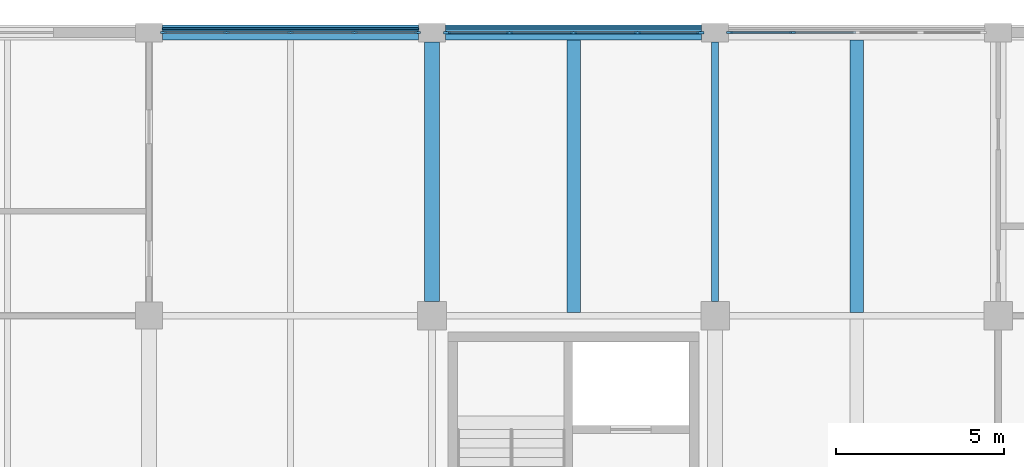
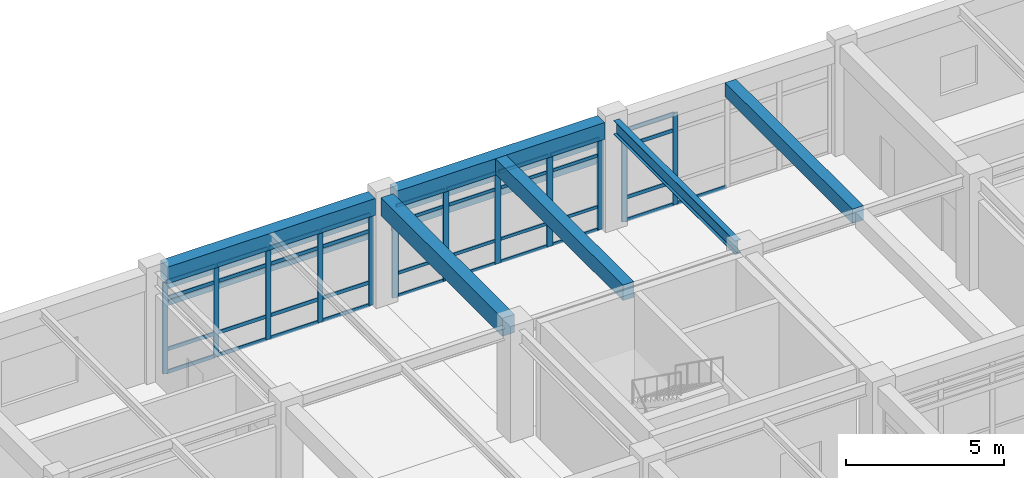
# One storey, part 18 of 78: 53 members, 6 beams, 3 elements without a shape of their own.
"""IFC4 building model written with IfcOpenShell, lengths in metres."""

from ifc_helpers import new_model, si_unit, direction, frame, origin, origin_2d, place, context, subcontext, project, spatial, rectangle, i_section, extrude, material, layer, layer_set, material_profile, profile_set, type_object, element, aggregate, save


model = new_model("IFC4")

# Units and contexts
model_context = context("Model", 3, precision=1e-05, world=origin(), true_north=direction((0.0, 1.0)))
body_context = subcontext(model_context, "Body", "Model", "MODEL_VIEW")
ifc_project = project(units=[si_unit("LENGTHUNIT", "METRE"), si_unit("AREAUNIT", "SQUARE_METRE"), si_unit("VOLUMEUNIT", "CUBIC_METRE"), si_unit("PLANEANGLEUNIT", "RADIAN"), si_unit("MASSUNIT", "GRAM", prefix="KILO")], contexts=[model_context])

# Site, building, storey
site_placement = place(None, origin())
site = spatial("IfcSite", under=ifc_project, at=site_placement, CompositionType="ELEMENT")
building_placement = place(site_placement, origin())
building = spatial("IfcBuilding", under=site, at=building_placement, Name="Porcellanite Civic Hall", CompositionType="ELEMENT")
storey_placement = place(building_placement, frame((0.0, 0.0, 10.260009765625)))
storey = spatial("IfcBuildingStorey", under=building, at=storey_placement, Name="L02", CompositionType="ELEMENT", Elevation=10.260009765625)

# Beams
ifc_material_1 = material(Name="Concrete N50 (50 MPa)", Category="concrete")
ifc_material_profile_1 = material_profile(ifc_material_1, rectangle(XDim=0.39990234375, YDim=0.550048828125, at=origin_2d()), Name="RC-400x550")
ifc_profile_set_1 = profile_set([ifc_material_profile_1], Name="Concrete N50 (50 MPa)")
beam_type_1 = type_object("IfcBeamType", Name="BM-RC550", PredefinedType="JOIST", material=ifc_profile_set_1)
beam_1_placement = place(storey_placement, frame((63.0, 109.29443359375, 3.965087890625), z_axis=(0.0, 1.0, 0.0), x_axis=(-1.0, 0.0, 0.0)))
element("IfcBeam", 1, at=beam_1_placement, inside=storey, type_object=beam_type_1, Name="Secondary joist L02 8-14", PredefinedType="JOIST", context=body_context, shape_type="SweptSolid", body=[
    extrude(rectangle(XDim=0.39990234375, YDim=0.550048828125, at=origin_2d()), origin(), (0.0, 0.0, 1.0), 8.0810546875),
])
ifc_material_2 = material(Name="Concrete N50 (50 MPa)", Category="concrete")
ifc_material_profile_2 = material_profile(ifc_material_2, rectangle(XDim=0.39990234375, YDim=0.60009765625, at=origin_2d()), Name="RC-400x600")
ifc_profile_set_2 = profile_set([ifc_material_profile_2], Name="Concrete N50 (50 MPa)")
beam_type_2 = type_object("IfcBeamType", Name="BM-RC600", PredefinedType="JOIST", material=ifc_profile_set_2)
beam_2_placement = place(storey_placement, frame((54.60009765625, 109.29443359375, 3.93994140625), z_axis=(0.0, 1.0, 0.0), x_axis=(-1.0, 0.0, 0.0)))
element("IfcBeam", 2, at=beam_2_placement, inside=storey, type_object=beam_type_2, Name="Secondary joist L02 7-14", PredefinedType="JOIST", context=body_context, shape_type="SweptSolid", body=[
    extrude(rectangle(XDim=0.39990234375, YDim=0.60009765625, at=origin_2d()), origin(), (0.0, 0.0, 1.0), 8.0810546875),
])
ifc_material_3 = material(Name="Concrete N50 (50 MPa)", Category="concrete")
ifc_material_profile_3 = material_profile(ifc_material_3, rectangle(XDim=0.449951171875, YDim=0.64990234375, at=origin_2d()), Name="RC-450x650")
ifc_profile_set_3 = profile_set([ifc_material_profile_3], Name="Concrete N50 (50 MPa)")
beam_type_3 = type_object("IfcBeamType", Name="BM-RC650", PredefinedType="SPANDREL", material=ifc_profile_set_3)
beam_3_placement = place(storey_placement, frame((42.3994140625, 117.60009765625, 3.9150390625), z_axis=(1.0, 0.0, 0.0), x_axis=(0.0, 1.0, 0.0)))
element("IfcBeam", 3, at=beam_3_placement, inside=storey, type_object=beam_type_3, Name="Beam X L02 6-15", PredefinedType="SPANDREL", context=body_context, shape_type="SweptSolid", body=[
    extrude(rectangle(XDim=0.449951171875, YDim=0.64990234375, at=origin_2d()), origin(), (0.0, 0.0, 1.0), 7.60107421875),
])
beam_4_placement = place(storey_placement, frame((50.799560546875, 117.60009765625, 3.9150390625), z_axis=(1.0, 0.0, 0.0), x_axis=(0.0, 1.0, 0.0)))
element("IfcBeam", 4, at=beam_4_placement, inside=storey, type_object=beam_type_3, Name="Beam X L02 7-15", PredefinedType="SPANDREL", context=body_context, shape_type="SweptSolid", body=[
    extrude(rectangle(XDim=0.449951171875, YDim=0.64990234375, at=origin_2d()), origin(), (0.0, 0.0, 1.0), 7.600830078125),
])
ifc_material_4 = material(Name="Concrete N50 (50 MPa)", Category="concrete")
ifc_material_profile_4 = material_profile(ifc_material_4, rectangle(XDim=0.449951171875, YDim=0.699951171875, at=origin_2d()), Name="RC-450x700")
ifc_profile_set_4 = profile_set([ifc_material_profile_4], Name="Concrete N50 (50 MPa)")
beam_type_4 = type_object("IfcBeamType", Name="BM-RC700", PredefinedType="BEAM", material=ifc_profile_set_4)
beam_5_placement = place(storey_placement, frame((50.39990234375, 109.62451171875, 3.889892578125), z_axis=(0.0, 1.0, 0.0), x_axis=(-1.0, 0.0, 0.0)))
element("IfcBeam", 5, at=beam_5_placement, inside=storey, type_object=beam_type_4, Name="Beam Y L02 7-14", PredefinedType="BEAM", context=body_context, shape_type="SweptSolid", body=[
    extrude(rectangle(XDim=0.449951171875, YDim=0.699951171875, at=origin_2d()), origin(), (0.0, 0.0, 1.0), 7.700927734375),
])

# Curtain wall, members
ifc_material_5 = material(Name="Anodised aluminium and solar laminated glass", Category="aluminium")
ifc_layer_1 = layer(ifc_material_5, 0.179931640625)
ifc_layer_set_1 = layer_set([ifc_layer_1], Name="Anodised aluminium and solar laminated glass")
curtain_wall_type_1 = type_object("IfcCurtainWallType", Name="CW-SYS03", PredefinedType="NOTDEFINED", material=ifc_layer_set_1)
curtain_wall_1_placement = place(storey_placement, origin())
curtain_wall_1 = element("IfcCurtainWall", 6, at=curtain_wall_1_placement, inside=storey, type_object=curtain_wall_type_1, Name="Curtain wall CW-150", PredefinedType="NOTDEFINED")
ifc_material_6 = material(Name="Anodised aluminium 6063-T6", Category="aluminium")
ifc_material_profile_5 = material_profile(ifc_material_6, rectangle(XDim=0.080078125, YDim=0.2099609375, at=origin_2d()), Name="AL-80x210")
ifc_profile_set_5 = profile_set([ifc_material_profile_5], Name="Anodised aluminium 6063-T6")
member_type_1 = type_object("IfcMemberType", Name="CWM-02", PredefinedType="MULLION", material=ifc_profile_set_5)
member_1_placement = place(storey_placement, frame((50.841064453125, 117.60009765625, 0.0), z_axis=(0.0, 0.0, 1.0), x_axis=(0.0, 1.0, 0.0)))
member_1 = element("IfcMember", 7, at=member_1_placement, type_object=member_type_1, Name="CW-150 mullion 1", PredefinedType="MULLION", context=body_context, shape_type="SweptSolid", body=[
    extrude(rectangle(XDim=0.080078125, YDim=0.2099609375, at=origin_2d()), origin(), (0.0, 0.0, 1.0), 3.5400390625),
])
member_2_placement = place(storey_placement, frame((52.700439453125, 117.60009765625, 0.0), z_axis=(0.0, 0.0, 1.0), x_axis=(0.0, 1.0, 0.0)))
member_2 = element("IfcMember", 8, at=member_2_placement, type_object=member_type_1, Name="CW-150 mullion 2", PredefinedType="MULLION", context=body_context, shape_type="SweptSolid", body=[
    extrude(rectangle(XDim=0.080078125, YDim=0.2099609375, at=origin_2d()), origin(), (0.0, 0.0, 1.0), 3.5400390625),
])
member_3_placement = place(storey_placement, frame((54.60009765625, 117.60009765625, 0.0), z_axis=(0.0, 0.0, 1.0), x_axis=(0.0, 1.0, 0.0)))
member_3 = element("IfcMember", 9, at=member_3_placement, type_object=member_type_1, Name="CW-150 mullion 3", PredefinedType="MULLION", context=body_context, shape_type="SweptSolid", body=[
    extrude(rectangle(XDim=0.080078125, YDim=0.2099609375, at=origin_2d()), origin(), (0.0, 0.0, 1.0), 3.5400390625),
])
member_4_placement = place(storey_placement, frame((56.49951171875, 117.60009765625, 0.0), z_axis=(0.0, 0.0, 1.0), x_axis=(0.0, 1.0, 0.0)))
member_4 = element("IfcMember", 10, at=member_4_placement, type_object=member_type_1, Name="CW-150 mullion 4", PredefinedType="MULLION", context=body_context, shape_type="SweptSolid", body=[
    extrude(rectangle(XDim=0.080078125, YDim=0.2099609375, at=origin_2d()), origin(), (0.0, 0.0, 1.0), 3.5400390625),
])
member_5_placement = place(storey_placement, frame((58.35888671875, 117.60009765625, 0.0), z_axis=(0.0, 0.0, 1.0), x_axis=(0.0, 1.0, 0.0)))
member_5 = element("IfcMember", 11, at=member_5_placement, type_object=member_type_1, Name="CW-150 mullion 5", PredefinedType="MULLION", context=body_context, shape_type="SweptSolid", body=[
    extrude(rectangle(XDim=0.080078125, YDim=0.2099609375, at=origin_2d()), origin(), (0.0, 0.0, 1.0), 3.5400390625),
])

ifc_material_7 = material(Name="Anodised aluminium and solar laminated glass", Category="aluminium")
ifc_layer_2 = layer(ifc_material_7, 0.179931640625)
ifc_layer_set_2 = layer_set([ifc_layer_2], Name="Anodised aluminium and solar laminated glass")
curtain_wall_type_2 = type_object("IfcCurtainWallType", Name="CW-SYS06", PredefinedType="NOTDEFINED", material=ifc_layer_set_2)
curtain_wall_2_placement = place(storey_placement, origin())
curtain_wall_2 = element("IfcCurtainWall", 12, at=curtain_wall_2_placement, inside=storey, type_object=curtain_wall_type_2, Name="Curtain wall CW-140", PredefinedType="NOTDEFINED")
ifc_material_8 = material(Name="Anodised aluminium 6063-T6", Category="aluminium")
ifc_material_profile_6 = material_profile(ifc_material_8, rectangle(XDim=0.06494140625, YDim=0.179931640625, at=origin_2d()), Name="AL-65x180")
ifc_profile_set_6 = profile_set([ifc_material_profile_6], Name="Anodised aluminium 6063-T6")
member_type_2 = type_object("IfcMemberType", Name="CWM-06", PredefinedType="MULLION", material=ifc_profile_set_6)
member_6_placement = place(storey_placement, frame((42.43359375, 117.60009765625, 0.0), z_axis=(0.0, 0.0, 1.0), x_axis=(0.0, 1.0, 0.0)))
member_6 = element("IfcMember", 13, at=member_6_placement, type_object=member_type_2, Name="CW-140 mullion 1", PredefinedType="MULLION", context=body_context, shape_type="SweptSolid", body=[
    extrude(rectangle(XDim=0.06494140625, YDim=0.179931640625, at=origin_2d()), origin(), (0.0, 0.0, 1.0), 3.5400390625),
])
member_7_placement = place(storey_placement, frame((44.300537109375, 117.60009765625, 0.0), z_axis=(0.0, 0.0, 1.0), x_axis=(0.0, 1.0, 0.0)))
member_7 = element("IfcMember", 14, at=member_7_placement, type_object=member_type_2, Name="CW-140 mullion 2", PredefinedType="MULLION", context=body_context, shape_type="SweptSolid", body=[
    extrude(rectangle(XDim=0.06494140625, YDim=0.179931640625, at=origin_2d()), origin(), (0.0, 0.0, 1.0), 3.5400390625),
])
member_8_placement = place(storey_placement, frame((46.199951171875, 117.60009765625, 0.0), z_axis=(0.0, 0.0, 1.0), x_axis=(0.0, 1.0, 0.0)))
member_8 = element("IfcMember", 15, at=member_8_placement, type_object=member_type_2, Name="CW-140 mullion 3", PredefinedType="MULLION", context=body_context, shape_type="SweptSolid", body=[
    extrude(rectangle(XDim=0.06494140625, YDim=0.179931640625, at=origin_2d()), origin(), (0.0, 0.0, 1.0), 3.5400390625),
])
member_9_placement = place(storey_placement, frame((48.099609375, 117.60009765625, 0.0), z_axis=(0.0, 0.0, 1.0), x_axis=(0.0, 1.0, 0.0)))
member_9 = element("IfcMember", 16, at=member_9_placement, type_object=member_type_2, Name="CW-140 mullion 4", PredefinedType="MULLION", context=body_context, shape_type="SweptSolid", body=[
    extrude(rectangle(XDim=0.06494140625, YDim=0.179931640625, at=origin_2d()), origin(), (0.0, 0.0, 1.0), 3.5400390625),
])
member_10_placement = place(storey_placement, frame((49.966552734375, 117.60009765625, 0.0), z_axis=(0.0, 0.0, 1.0), x_axis=(0.0, 1.0, 0.0)))
member_10 = element("IfcMember", 17, at=member_10_placement, type_object=member_type_2, Name="CW-140 mullion 5", PredefinedType="MULLION", context=body_context, shape_type="SweptSolid", body=[
    extrude(rectangle(XDim=0.06494140625, YDim=0.179931640625, at=origin_2d()), origin(), (0.0, 0.0, 1.0), 3.5400390625),
])

curtain_wall_3_placement = place(storey_placement, origin())
curtain_wall_3 = element("IfcCurtainWall", 18, at=curtain_wall_3_placement, inside=storey, type_object=curtain_wall_type_2, Name="Curtain wall CW-152", PredefinedType="NOTDEFINED")
member_11_placement = place(storey_placement, frame((59.2333984375, 117.60009765625, 0.0), z_axis=(0.0, 0.0, 1.0), x_axis=(0.0, 1.0, 0.0)))
member_11 = element("IfcMember", 19, at=member_11_placement, type_object=member_type_2, Name="CW-152 mullion 1", PredefinedType="MULLION", context=body_context, shape_type="SweptSolid", body=[
    extrude(rectangle(XDim=0.06494140625, YDim=0.179931640625, at=origin_2d()), origin(), (0.0, 0.0, 1.0), 3.5400390625),
])
member_12_placement = place(storey_placement, frame((61.1005859375, 117.60009765625, 0.0), z_axis=(0.0, 0.0, 1.0), x_axis=(0.0, 1.0, 0.0)))
member_12 = element("IfcMember", 20, at=member_12_placement, type_object=member_type_2, Name="CW-152 mullion 2", PredefinedType="MULLION", context=body_context, shape_type="SweptSolid", body=[
    extrude(rectangle(XDim=0.06494140625, YDim=0.179931640625, at=origin_2d()), origin(), (0.0, 0.0, 1.0), 3.5400390625),
])

# Member
ifc_material_9 = material(Name="Anodised aluminium 6063-T6", Category="aluminium")
ifc_material_profile_7 = material_profile(ifc_material_9, rectangle(XDim=0.054931640625, YDim=0.1201171875, at=origin_2d()), Name="AL-55x120")
ifc_profile_set_7 = profile_set([ifc_material_profile_7], Name="Anodised aluminium 6063-T6")
member_type_3 = type_object("IfcMemberType", Name="CWT-04", PredefinedType="USERDEFINED", material=ifc_profile_set_7)
member_13_placement = place(storey_placement, frame((50.881103515625, 117.60009765625, 0.027587890625), z_axis=(1.0, 0.0, 0.0), x_axis=(0.0, 1.0, 0.0)))
member_13 = element("IfcMember", 21, at=member_13_placement, type_object=member_type_3, Name="CW-150 transom 1.1", ObjectType="TRANSOM", PredefinedType="USERDEFINED", context=body_context, shape_type="SweptSolid", body=[
    extrude(rectangle(XDim=0.054931640625, YDim=0.1201171875, at=origin_2d()), origin(), (0.0, 0.0, 1.0), 1.779296875),
])

member_14_placement = place(storey_placement, frame((50.881103515625, 117.60009765625, 0.89990234375), z_axis=(1.0, 0.0, 0.0), x_axis=(0.0, 1.0, 0.0)))
member_14 = element("IfcMember", 22, at=member_14_placement, type_object=member_type_3, Name="CW-150 transom 1.2", ObjectType="TRANSOM", PredefinedType="USERDEFINED", context=body_context, shape_type="SweptSolid", body=[
    extrude(rectangle(XDim=0.054931640625, YDim=0.1201171875, at=origin_2d()), origin(), (0.0, 0.0, 1.0), 1.779296875),
])

member_15_placement = place(storey_placement, frame((50.881103515625, 117.60009765625, 2.889892578125), z_axis=(1.0, 0.0, 0.0), x_axis=(0.0, 1.0, 0.0)))
member_15 = element("IfcMember", 23, at=member_15_placement, type_object=member_type_3, Name="CW-150 transom 1.3", ObjectType="TRANSOM", PredefinedType="USERDEFINED", context=body_context, shape_type="SweptSolid", body=[
    extrude(rectangle(XDim=0.054931640625, YDim=0.1201171875, at=origin_2d()), origin(), (0.0, 0.0, 1.0), 1.779296875),
])

member_16_placement = place(storey_placement, frame((50.881103515625, 117.60009765625, 3.512451171875), z_axis=(1.0, 0.0, 0.0), x_axis=(0.0, 1.0, 0.0)))
member_16 = element("IfcMember", 24, at=member_16_placement, type_object=member_type_3, Name="CW-150 transom 1.4", ObjectType="TRANSOM", PredefinedType="USERDEFINED", context=body_context, shape_type="SweptSolid", body=[
    extrude(rectangle(XDim=0.054931640625, YDim=0.1201171875, at=origin_2d()), origin(), (0.0, 0.0, 1.0), 1.779296875),
])

member_17_placement = place(storey_placement, frame((52.740478515625, 117.60009765625, 0.027587890625), z_axis=(1.0, 0.0, 0.0), x_axis=(0.0, 1.0, 0.0)))
member_17 = element("IfcMember", 25, at=member_17_placement, type_object=member_type_3, Name="CW-150 transom 2.1", ObjectType="TRANSOM", PredefinedType="USERDEFINED", context=body_context, shape_type="SweptSolid", body=[
    extrude(rectangle(XDim=0.054931640625, YDim=0.1201171875, at=origin_2d()), origin(), (0.0, 0.0, 1.0), 1.819580078125),
])

member_18_placement = place(storey_placement, frame((52.740478515625, 117.60009765625, 0.89990234375), z_axis=(1.0, 0.0, 0.0), x_axis=(0.0, 1.0, 0.0)))
member_18 = element("IfcMember", 26, at=member_18_placement, type_object=member_type_3, Name="CW-150 transom 2.2", ObjectType="TRANSOM", PredefinedType="USERDEFINED", context=body_context, shape_type="SweptSolid", body=[
    extrude(rectangle(XDim=0.054931640625, YDim=0.1201171875, at=origin_2d()), origin(), (0.0, 0.0, 1.0), 1.819580078125),
])

member_19_placement = place(storey_placement, frame((52.740478515625, 117.60009765625, 2.889892578125), z_axis=(1.0, 0.0, 0.0), x_axis=(0.0, 1.0, 0.0)))
member_19 = element("IfcMember", 27, at=member_19_placement, type_object=member_type_3, Name="CW-150 transom 2.3", ObjectType="TRANSOM", PredefinedType="USERDEFINED", context=body_context, shape_type="SweptSolid", body=[
    extrude(rectangle(XDim=0.054931640625, YDim=0.1201171875, at=origin_2d()), origin(), (0.0, 0.0, 1.0), 1.819580078125),
])

member_20_placement = place(storey_placement, frame((52.740478515625, 117.60009765625, 3.512451171875), z_axis=(1.0, 0.0, 0.0), x_axis=(0.0, 1.0, 0.0)))
member_20 = element("IfcMember", 28, at=member_20_placement, type_object=member_type_3, Name="CW-150 transom 2.4", ObjectType="TRANSOM", PredefinedType="USERDEFINED", context=body_context, shape_type="SweptSolid", body=[
    extrude(rectangle(XDim=0.054931640625, YDim=0.1201171875, at=origin_2d()), origin(), (0.0, 0.0, 1.0), 1.819580078125),
])

member_21_placement = place(storey_placement, frame((54.639892578125, 117.60009765625, 0.027587890625), z_axis=(1.0, 0.0, 0.0), x_axis=(0.0, 1.0, 0.0)))
member_21 = element("IfcMember", 29, at=member_21_placement, type_object=member_type_3, Name="CW-150 transom 3.1", ObjectType="TRANSOM", PredefinedType="USERDEFINED", context=body_context, shape_type="SweptSolid", body=[
    extrude(rectangle(XDim=0.054931640625, YDim=0.1201171875, at=origin_2d()), origin(), (0.0, 0.0, 1.0), 1.819580078125),
])

member_22_placement = place(storey_placement, frame((54.639892578125, 117.60009765625, 0.89990234375), z_axis=(1.0, 0.0, 0.0), x_axis=(0.0, 1.0, 0.0)))
member_22 = element("IfcMember", 30, at=member_22_placement, type_object=member_type_3, Name="CW-150 transom 3.2", ObjectType="TRANSOM", PredefinedType="USERDEFINED", context=body_context, shape_type="SweptSolid", body=[
    extrude(rectangle(XDim=0.054931640625, YDim=0.1201171875, at=origin_2d()), origin(), (0.0, 0.0, 1.0), 1.819580078125),
])

member_23_placement = place(storey_placement, frame((54.639892578125, 117.60009765625, 2.889892578125), z_axis=(1.0, 0.0, 0.0), x_axis=(0.0, 1.0, 0.0)))
member_23 = element("IfcMember", 31, at=member_23_placement, type_object=member_type_3, Name="CW-150 transom 3.3", ObjectType="TRANSOM", PredefinedType="USERDEFINED", context=body_context, shape_type="SweptSolid", body=[
    extrude(rectangle(XDim=0.054931640625, YDim=0.1201171875, at=origin_2d()), origin(), (0.0, 0.0, 1.0), 1.819580078125),
])

member_24_placement = place(storey_placement, frame((54.639892578125, 117.60009765625, 3.512451171875), z_axis=(1.0, 0.0, 0.0), x_axis=(0.0, 1.0, 0.0)))
member_24 = element("IfcMember", 32, at=member_24_placement, type_object=member_type_3, Name="CW-150 transom 3.4", ObjectType="TRANSOM", PredefinedType="USERDEFINED", context=body_context, shape_type="SweptSolid", body=[
    extrude(rectangle(XDim=0.054931640625, YDim=0.1201171875, at=origin_2d()), origin(), (0.0, 0.0, 1.0), 1.819580078125),
])

member_25_placement = place(storey_placement, frame((56.53955078125, 117.60009765625, 0.027587890625), z_axis=(1.0, 0.0, 0.0), x_axis=(0.0, 1.0, 0.0)))
member_25 = element("IfcMember", 33, at=member_25_placement, type_object=member_type_3, Name="CW-150 transom 4.1", ObjectType="TRANSOM", PredefinedType="USERDEFINED", context=body_context, shape_type="SweptSolid", body=[
    extrude(rectangle(XDim=0.054931640625, YDim=0.1201171875, at=origin_2d()), origin(), (0.0, 0.0, 1.0), 1.779541015625),
])

member_26_placement = place(storey_placement, frame((56.53955078125, 117.60009765625, 0.89990234375), z_axis=(1.0, 0.0, 0.0), x_axis=(0.0, 1.0, 0.0)))
member_26 = element("IfcMember", 34, at=member_26_placement, type_object=member_type_3, Name="CW-150 transom 4.2", ObjectType="TRANSOM", PredefinedType="USERDEFINED", context=body_context, shape_type="SweptSolid", body=[
    extrude(rectangle(XDim=0.054931640625, YDim=0.1201171875, at=origin_2d()), origin(), (0.0, 0.0, 1.0), 1.779541015625),
])

member_27_placement = place(storey_placement, frame((56.53955078125, 117.60009765625, 2.889892578125), z_axis=(1.0, 0.0, 0.0), x_axis=(0.0, 1.0, 0.0)))
member_27 = element("IfcMember", 35, at=member_27_placement, type_object=member_type_3, Name="CW-150 transom 4.3", ObjectType="TRANSOM", PredefinedType="USERDEFINED", context=body_context, shape_type="SweptSolid", body=[
    extrude(rectangle(XDim=0.054931640625, YDim=0.1201171875, at=origin_2d()), origin(), (0.0, 0.0, 1.0), 1.779541015625),
])

member_28_placement = place(storey_placement, frame((56.53955078125, 117.60009765625, 3.512451171875), z_axis=(1.0, 0.0, 0.0), x_axis=(0.0, 1.0, 0.0)))
member_28 = element("IfcMember", 36, at=member_28_placement, type_object=member_type_3, Name="CW-150 transom 4.4", ObjectType="TRANSOM", PredefinedType="USERDEFINED", context=body_context, shape_type="SweptSolid", body=[
    extrude(rectangle(XDim=0.054931640625, YDim=0.1201171875, at=origin_2d()), origin(), (0.0, 0.0, 1.0), 1.779541015625),
])

aggregate(curtain_wall_1, [member_1, member_2, member_3, member_4, member_5, member_13, member_14, member_15, member_16, member_17, member_18, member_19, member_20, member_21, member_22, member_23, member_24, member_25, member_26, member_27, member_28])

ifc_material_10 = material(Name="Anodised aluminium 6063-T6", Category="aluminium")
ifc_material_profile_8 = material_profile(ifc_material_10, rectangle(XDim=0.050048828125, YDim=0.139892578125, at=origin_2d()), Name="AL-50x140")
ifc_profile_set_8 = profile_set([ifc_material_profile_8], Name="Anodised aluminium 6063-T6")
member_type_4 = type_object("IfcMemberType", Name="CWT-06", PredefinedType="USERDEFINED", material=ifc_profile_set_8)
member_29_placement = place(storey_placement, frame((42.466064453125, 117.60009765625, 0.02490234375), z_axis=(1.0, 0.0, 0.0), x_axis=(0.0, 1.0, 0.0)))
member_29 = element("IfcMember", 37, at=member_29_placement, type_object=member_type_4, Name="CW-140 transom 1.1", ObjectType="TRANSOM", PredefinedType="USERDEFINED", context=body_context, shape_type="SweptSolid", body=[
    extrude(rectangle(XDim=0.050048828125, YDim=0.139892578125, at=origin_2d()), origin(), (0.0, 0.0, 1.0), 1.802001953125),
])

member_30_placement = place(storey_placement, frame((42.466064453125, 117.60009765625, 0.89990234375), z_axis=(1.0, 0.0, 0.0), x_axis=(0.0, 1.0, 0.0)))
member_30 = element("IfcMember", 38, at=member_30_placement, type_object=member_type_4, Name="CW-140 transom 1.2", ObjectType="TRANSOM", PredefinedType="USERDEFINED", context=body_context, shape_type="SweptSolid", body=[
    extrude(rectangle(XDim=0.050048828125, YDim=0.139892578125, at=origin_2d()), origin(), (0.0, 0.0, 1.0), 1.802001953125),
])

member_31_placement = place(storey_placement, frame((42.466064453125, 117.60009765625, 2.889892578125), z_axis=(1.0, 0.0, 0.0), x_axis=(0.0, 1.0, 0.0)))
member_31 = element("IfcMember", 39, at=member_31_placement, type_object=member_type_4, Name="CW-140 transom 1.3", ObjectType="TRANSOM", PredefinedType="USERDEFINED", context=body_context, shape_type="SweptSolid", body=[
    extrude(rectangle(XDim=0.050048828125, YDim=0.139892578125, at=origin_2d()), origin(), (0.0, 0.0, 1.0), 1.802001953125),
])

member_32_placement = place(storey_placement, frame((42.466064453125, 117.60009765625, 3.514892578125), z_axis=(1.0, 0.0, 0.0), x_axis=(0.0, 1.0, 0.0)))
member_32 = element("IfcMember", 40, at=member_32_placement, type_object=member_type_4, Name="CW-140 transom 1.4", ObjectType="TRANSOM", PredefinedType="USERDEFINED", context=body_context, shape_type="SweptSolid", body=[
    extrude(rectangle(XDim=0.050048828125, YDim=0.139892578125, at=origin_2d()), origin(), (0.0, 0.0, 1.0), 1.802001953125),
])

member_33_placement = place(storey_placement, frame((44.3330078125, 117.60009765625, 0.02490234375), z_axis=(1.0, 0.0, 0.0), x_axis=(0.0, 1.0, 0.0)))
member_33 = element("IfcMember", 41, at=member_33_placement, type_object=member_type_4, Name="CW-140 transom 2.1", ObjectType="TRANSOM", PredefinedType="USERDEFINED", context=body_context, shape_type="SweptSolid", body=[
    extrude(rectangle(XDim=0.050048828125, YDim=0.139892578125, at=origin_2d()), origin(), (0.0, 0.0, 1.0), 1.83447265625),
])

member_34_placement = place(storey_placement, frame((44.3330078125, 117.60009765625, 0.89990234375), z_axis=(1.0, 0.0, 0.0), x_axis=(0.0, 1.0, 0.0)))
member_34 = element("IfcMember", 42, at=member_34_placement, type_object=member_type_4, Name="CW-140 transom 2.2", ObjectType="TRANSOM", PredefinedType="USERDEFINED", context=body_context, shape_type="SweptSolid", body=[
    extrude(rectangle(XDim=0.050048828125, YDim=0.139892578125, at=origin_2d()), origin(), (0.0, 0.0, 1.0), 1.83447265625),
])

member_35_placement = place(storey_placement, frame((44.3330078125, 117.60009765625, 2.889892578125), z_axis=(1.0, 0.0, 0.0), x_axis=(0.0, 1.0, 0.0)))
member_35 = element("IfcMember", 43, at=member_35_placement, type_object=member_type_4, Name="CW-140 transom 2.3", ObjectType="TRANSOM", PredefinedType="USERDEFINED", context=body_context, shape_type="SweptSolid", body=[
    extrude(rectangle(XDim=0.050048828125, YDim=0.139892578125, at=origin_2d()), origin(), (0.0, 0.0, 1.0), 1.83447265625),
])

member_36_placement = place(storey_placement, frame((44.3330078125, 117.60009765625, 3.514892578125), z_axis=(1.0, 0.0, 0.0), x_axis=(0.0, 1.0, 0.0)))
member_36 = element("IfcMember", 44, at=member_36_placement, type_object=member_type_4, Name="CW-140 transom 2.4", ObjectType="TRANSOM", PredefinedType="USERDEFINED", context=body_context, shape_type="SweptSolid", body=[
    extrude(rectangle(XDim=0.050048828125, YDim=0.139892578125, at=origin_2d()), origin(), (0.0, 0.0, 1.0), 1.83447265625),
])

member_37_placement = place(storey_placement, frame((46.232421875, 117.60009765625, 0.02490234375), z_axis=(1.0, 0.0, 0.0), x_axis=(0.0, 1.0, 0.0)))
member_37 = element("IfcMember", 45, at=member_37_placement, type_object=member_type_4, Name="CW-140 transom 3.1", ObjectType="TRANSOM", PredefinedType="USERDEFINED", context=body_context, shape_type="SweptSolid", body=[
    extrude(rectangle(XDim=0.050048828125, YDim=0.139892578125, at=origin_2d()), origin(), (0.0, 0.0, 1.0), 1.83447265625),
])

member_38_placement = place(storey_placement, frame((46.232421875, 117.60009765625, 0.89990234375), z_axis=(1.0, 0.0, 0.0), x_axis=(0.0, 1.0, 0.0)))
member_38 = element("IfcMember", 46, at=member_38_placement, type_object=member_type_4, Name="CW-140 transom 3.2", ObjectType="TRANSOM", PredefinedType="USERDEFINED", context=body_context, shape_type="SweptSolid", body=[
    extrude(rectangle(XDim=0.050048828125, YDim=0.139892578125, at=origin_2d()), origin(), (0.0, 0.0, 1.0), 1.83447265625),
])

member_39_placement = place(storey_placement, frame((46.232421875, 117.60009765625, 2.889892578125), z_axis=(1.0, 0.0, 0.0), x_axis=(0.0, 1.0, 0.0)))
member_39 = element("IfcMember", 47, at=member_39_placement, type_object=member_type_4, Name="CW-140 transom 3.3", ObjectType="TRANSOM", PredefinedType="USERDEFINED", context=body_context, shape_type="SweptSolid", body=[
    extrude(rectangle(XDim=0.050048828125, YDim=0.139892578125, at=origin_2d()), origin(), (0.0, 0.0, 1.0), 1.83447265625),
])

member_40_placement = place(storey_placement, frame((46.232421875, 117.60009765625, 3.514892578125), z_axis=(1.0, 0.0, 0.0), x_axis=(0.0, 1.0, 0.0)))
member_40 = element("IfcMember", 48, at=member_40_placement, type_object=member_type_4, Name="CW-140 transom 3.4", ObjectType="TRANSOM", PredefinedType="USERDEFINED", context=body_context, shape_type="SweptSolid", body=[
    extrude(rectangle(XDim=0.050048828125, YDim=0.139892578125, at=origin_2d()), origin(), (0.0, 0.0, 1.0), 1.83447265625),
])

member_41_placement = place(storey_placement, frame((48.132080078125, 117.60009765625, 0.02490234375), z_axis=(1.0, 0.0, 0.0), x_axis=(0.0, 1.0, 0.0)))
member_41 = element("IfcMember", 49, at=member_41_placement, type_object=member_type_4, Name="CW-140 transom 4.1", ObjectType="TRANSOM", PredefinedType="USERDEFINED", context=body_context, shape_type="SweptSolid", body=[
    extrude(rectangle(XDim=0.050048828125, YDim=0.139892578125, at=origin_2d()), origin(), (0.0, 0.0, 1.0), 1.802001953125),
])

member_42_placement = place(storey_placement, frame((48.132080078125, 117.60009765625, 0.89990234375), z_axis=(1.0, 0.0, 0.0), x_axis=(0.0, 1.0, 0.0)))
member_42 = element("IfcMember", 50, at=member_42_placement, type_object=member_type_4, Name="CW-140 transom 4.2", ObjectType="TRANSOM", PredefinedType="USERDEFINED", context=body_context, shape_type="SweptSolid", body=[
    extrude(rectangle(XDim=0.050048828125, YDim=0.139892578125, at=origin_2d()), origin(), (0.0, 0.0, 1.0), 1.802001953125),
])

member_43_placement = place(storey_placement, frame((48.132080078125, 117.60009765625, 2.889892578125), z_axis=(1.0, 0.0, 0.0), x_axis=(0.0, 1.0, 0.0)))
member_43 = element("IfcMember", 51, at=member_43_placement, type_object=member_type_4, Name="CW-140 transom 4.3", ObjectType="TRANSOM", PredefinedType="USERDEFINED", context=body_context, shape_type="SweptSolid", body=[
    extrude(rectangle(XDim=0.050048828125, YDim=0.139892578125, at=origin_2d()), origin(), (0.0, 0.0, 1.0), 1.802001953125),
])

member_44_placement = place(storey_placement, frame((48.132080078125, 117.60009765625, 3.514892578125), z_axis=(1.0, 0.0, 0.0), x_axis=(0.0, 1.0, 0.0)))
member_44 = element("IfcMember", 52, at=member_44_placement, type_object=member_type_4, Name="CW-140 transom 4.4", ObjectType="TRANSOM", PredefinedType="USERDEFINED", context=body_context, shape_type="SweptSolid", body=[
    extrude(rectangle(XDim=0.050048828125, YDim=0.139892578125, at=origin_2d()), origin(), (0.0, 0.0, 1.0), 1.802001953125),
])

aggregate(curtain_wall_2, [member_6, member_7, member_8, member_9, member_10, member_29, member_30, member_31, member_32, member_33, member_34, member_35, member_36, member_37, member_38, member_39, member_40, member_41, member_42, member_43, member_44])

member_45_placement = place(storey_placement, frame((59.26611328125, 117.60009765625, 0.02490234375), z_axis=(1.0, 0.0, 0.0), x_axis=(0.0, 1.0, 0.0)))
member_45 = element("IfcMember", 53, at=member_45_placement, type_object=member_type_4, Name="CW-152 transom 1.1", ObjectType="TRANSOM", PredefinedType="USERDEFINED", context=body_context, shape_type="SweptSolid", body=[
    extrude(rectangle(XDim=0.050048828125, YDim=0.139892578125, at=origin_2d()), origin(), (0.0, 0.0, 1.0), 1.802001953125),
])

member_46_placement = place(storey_placement, frame((59.26611328125, 117.60009765625, 0.89990234375), z_axis=(1.0, 0.0, 0.0), x_axis=(0.0, 1.0, 0.0)))
member_46 = element("IfcMember", 54, at=member_46_placement, type_object=member_type_4, Name="CW-152 transom 1.2", ObjectType="TRANSOM", PredefinedType="USERDEFINED", context=body_context, shape_type="SweptSolid", body=[
    extrude(rectangle(XDim=0.050048828125, YDim=0.139892578125, at=origin_2d()), origin(), (0.0, 0.0, 1.0), 1.802001953125),
])

member_47_placement = place(storey_placement, frame((59.26611328125, 117.60009765625, 2.889892578125), z_axis=(1.0, 0.0, 0.0), x_axis=(0.0, 1.0, 0.0)))
member_47 = element("IfcMember", 55, at=member_47_placement, type_object=member_type_4, Name="CW-152 transom 1.3", ObjectType="TRANSOM", PredefinedType="USERDEFINED", context=body_context, shape_type="SweptSolid", body=[
    extrude(rectangle(XDim=0.050048828125, YDim=0.139892578125, at=origin_2d()), origin(), (0.0, 0.0, 1.0), 1.802001953125),
])

member_48_placement = place(storey_placement, frame((59.26611328125, 117.60009765625, 3.514892578125), z_axis=(1.0, 0.0, 0.0), x_axis=(0.0, 1.0, 0.0)))
member_48 = element("IfcMember", 56, at=member_48_placement, type_object=member_type_4, Name="CW-152 transom 1.4", ObjectType="TRANSOM", PredefinedType="USERDEFINED", context=body_context, shape_type="SweptSolid", body=[
    extrude(rectangle(XDim=0.050048828125, YDim=0.139892578125, at=origin_2d()), origin(), (0.0, 0.0, 1.0), 1.802001953125),
])

member_49_placement = place(storey_placement, frame((61.133056640625, 117.60009765625, 0.02490234375), z_axis=(1.0, 0.0, 0.0), x_axis=(0.0, 1.0, 0.0)))
member_49 = element("IfcMember", 57, at=member_49_placement, type_object=member_type_4, Name="CW-152 transom 2.1", ObjectType="TRANSOM", PredefinedType="USERDEFINED", context=body_context, shape_type="SweptSolid", body=[
    extrude(rectangle(XDim=0.050048828125, YDim=0.139892578125, at=origin_2d()), origin(), (0.0, 0.0, 1.0), 1.83447265625),
])

aggregate(curtain_wall_3, [member_11, member_12, member_45, member_46, member_47, member_48, member_49])

# Members
ifc_material_11 = material(Name="Fluoropolymer bauxite-red aluminium 6063-T6", Category="aluminium")
ifc_material_profile_9 = material_profile(ifc_material_11, rectangle(XDim=0.06494140625, YDim=0.239990234375, at=origin_2d()), Name="AL-65x240")
ifc_profile_set_9 = profile_set([ifc_material_profile_9], Name="Fluoropolymer bauxite-red aluminium 6063-T6")
member_type_5 = type_object("IfcMemberType", Name="LV-BLD07", PredefinedType="USERDEFINED", material=ifc_profile_set_9)
for number, where, z_axis, x_axis, name in (
    (58, (50.799560546875, 117.739501953125, 3.239990234375), (1.0, 0.0, 0.0), (0.0, 1.0, 0.0), "Cyclone sunshade louvre L02 N 6-13 1"),
    (59, (50.799560546875, 117.739501953125, 2.590087890625), (1.0, 0.0, 0.0), (0.0, 1.0, 0.0), "Cyclone sunshade louvre L02 N 6-13 2"),
):
    element("IfcMember", number, at=place(storey_placement, frame(where, z_axis=z_axis, x_axis=x_axis)), inside=storey, type_object=member_type_5, Name=name, ObjectType="LOUVRE BLADE", PredefinedType="USERDEFINED", context=body_context, shape_type="SweptSolid", body=[
        extrude(rectangle(XDim=0.06494140625, YDim=0.239990234375, at=origin_2d()), origin(), (0.0, 0.0, 1.0), 7.600830078125),
    ])
ifc_material_12 = material(Name="Fluoropolymer bauxite-red aluminium 6063-T6", Category="aluminium")
ifc_material_profile_10 = material_profile(ifc_material_12, rectangle(XDim=0.054931640625, YDim=0.199951171875, at=origin_2d()), Name="AL-55x200")
ifc_profile_set_10 = profile_set([ifc_material_profile_10], Name="Fluoropolymer bauxite-red aluminium 6063-T6")
member_type_6 = type_object("IfcMemberType", Name="LV-BLD09", PredefinedType="USERDEFINED", material=ifc_profile_set_10)
for number, where, z_axis, x_axis, name in (
    (60, (42.3994140625, 117.719482421875, 3.239990234375), (1.0, 0.0, 0.0), (0.0, 1.0, 0.0), "Cyclone sunshade louvre L02 N 5-13 1"),
    (61, (42.3994140625, 117.719482421875, 2.590087890625), (1.0, 0.0, 0.0), (0.0, 1.0, 0.0), "Cyclone sunshade louvre L02 N 5-13 2"),
):
    element("IfcMember", number, at=place(storey_placement, frame(where, z_axis=z_axis, x_axis=x_axis)), inside=storey, type_object=member_type_6, Name=name, ObjectType="LOUVRE BLADE", PredefinedType="USERDEFINED", context=body_context, shape_type="SweptSolid", body=[
        extrude(rectangle(XDim=0.054931640625, YDim=0.199951171875, at=origin_2d()), origin(), (0.0, 0.0, 1.0), 7.60107421875),
    ])

# Beam
ifc_material_13 = material(Name="Steel Grade 350", Category="steel")
ifc_material_profile_11 = material_profile(ifc_material_13, i_section(OverallWidth=0.208984375, OverallDepth=0.528076171875, WebThickness=0.009521484375, FlangeThickness=0.01318359375, FilletRadius=0.013916015625, at=origin_2d()), Name="530UB82.0")
ifc_profile_set_11 = profile_set([ifc_material_profile_11], Name="Steel Grade 350")
beam_type_5 = type_object("IfcBeamType", Name="RAF-530UB82", PredefinedType="BEAM", material=ifc_profile_set_11)
beam_6_placement = place(storey_placement, frame((58.800048828125, 109.62451171875, 3.97607421875), z_axis=(0.0, 1.0, 0.0), x_axis=(-1.0, 0.0, 0.0)))
element("IfcBeam", 62, at=beam_6_placement, inside=storey, type_object=beam_type_5, Name="Beam Y L02 8-14", PredefinedType="BEAM", context=body_context, shape_type="SweptSolid", body=[
    extrude(i_section(OverallWidth=0.208984375, OverallDepth=0.528076171875, WebThickness=0.009521484375, FlangeThickness=0.01318359375, FilletRadius=0.013916015625, at=origin_2d()), origin(), (0.0, 0.0, 1.0), 7.700927734375),
])

save(model, "model.ifc")
